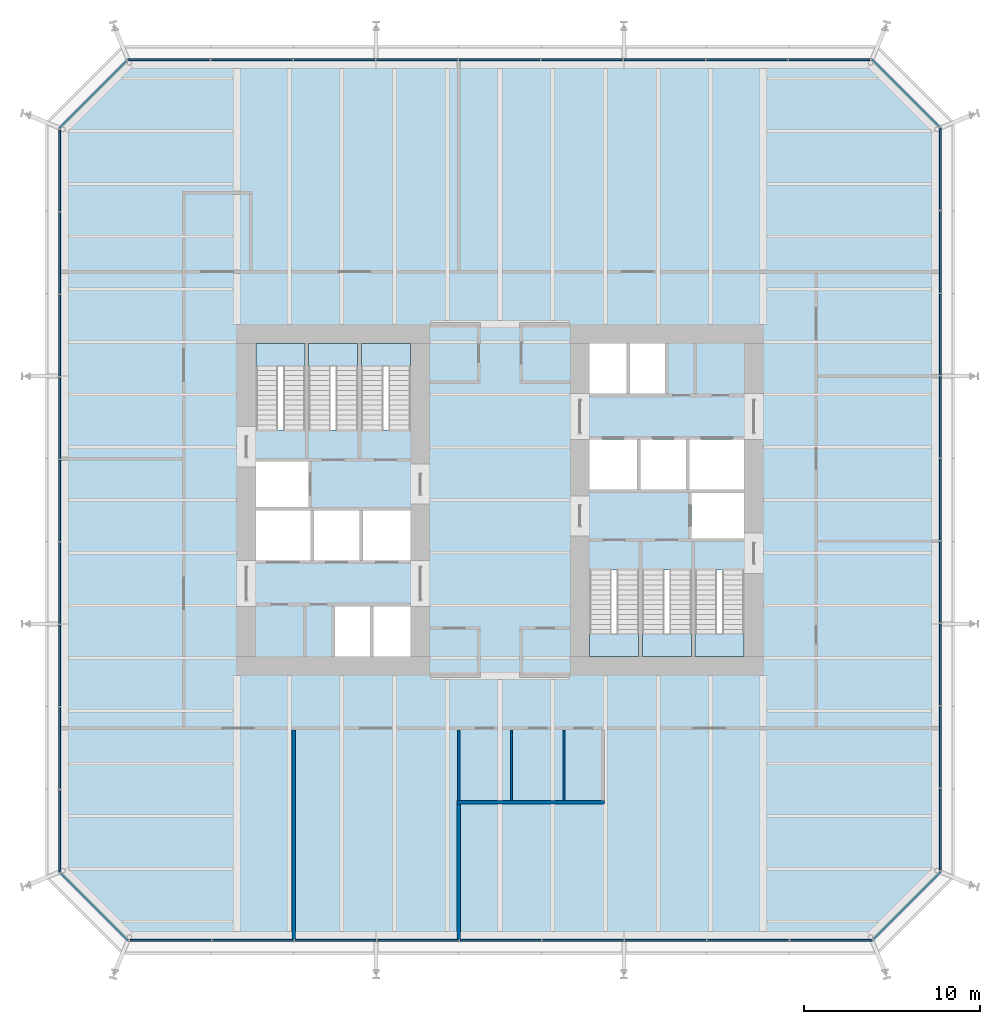
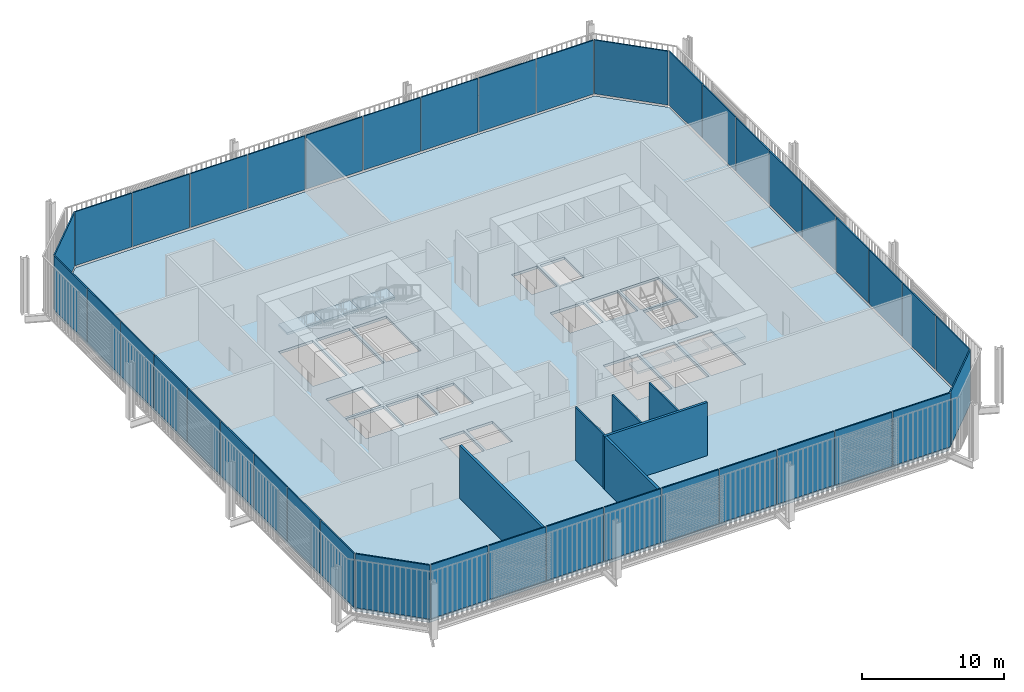
# One storey, part 17 of 22: 40 plates, 7 slabs, 6 walls, 14 elements without a shape of their own.
"""IFC4 building model written with IfcOpenShell, lengths in metres."""

from ifc_helpers import new_model, si_unit, direction, frame, frame_2d, origin, place, context, subcontext, project, spatial, polyline, rectangle, outline, extrude, material, layer, layer_set, type_object, element, aggregate, save


model = new_model("IFC4")

# Units and contexts
model_context = context("Model", 3, precision=1e-05, world=origin(), true_north=direction((0.0, 1.0)))
body_context = subcontext(model_context, "Body", "Model", "MODEL_VIEW")
ifc_project = project(units=[si_unit("LENGTHUNIT", "METRE"), si_unit("AREAUNIT", "SQUARE_METRE"), si_unit("VOLUMEUNIT", "CUBIC_METRE"), si_unit("PLANEANGLEUNIT", "RADIAN"), si_unit("MASSUNIT", "GRAM", prefix="KILO")], contexts=[model_context])

# Site, building, storey
site_placement = place(None, origin())
site = spatial("IfcSite", under=ifc_project, at=site_placement, CompositionType="ELEMENT")
building_placement = place(site_placement, origin())
building = spatial("IfcBuilding", under=site, at=building_placement, Name="Millrace Tower", CompositionType="ELEMENT")
storey_placement = place(building_placement, frame((0.0, 0.0, 25.699951171875)))
storey = spatial("IfcBuildingStorey", under=building, at=storey_placement, Name="L06", CompositionType="ELEMENT", Elevation=25.699951171875)

# Curtain wall, plate
ifc_material_1 = material(Name="Aluminium and glass", Category="aluminium")
ifc_layer_1 = layer(ifc_material_1, 0.14990234375)
ifc_layer_set_1 = layer_set([ifc_layer_1], Name="Aluminium and glass")
curtain_wall_type = type_object("IfcCurtainWallType", Name="CW-2 data hall insulated curtain wall", PredefinedType="NOTDEFINED", material=ifc_layer_set_1)
placement_1 = place(storey_placement, origin())
curtain_wall_1 = element("IfcCurtainWall", 1, at=placement_1, inside=storey, type_object=curtain_wall_type, Name="Curtain wall A-F01 L06", PredefinedType="NOTDEFINED")
ifc_material_2 = material(Name="Glass", Category="glass")
ifc_layer_2 = layer(ifc_material_2, 0.10009765625)
ifc_layer_set_2 = layer_set([ifc_layer_2], Name="Glass")
plate_type = type_object("IfcPlateType", Name="CW-2 data hall insulated curtain wall insulated cassette with vision slot", PredefinedType="CURTAIN_PANEL", material=ifc_layer_set_2)
placement_2 = place(storey_placement, frame((0.0, 0.0, 0.16015625)))
plate_1 = element("IfcPlate", 2, at=placement_2, type_object=plate_type, Name="CW2 panel A-F01.1", PredefinedType="CURTAIN_PANEL", context=body_context, shape_type="SweptSolid", body=[
    extrude(outline(polyline([(-25.04248046875, -21.284423828125), (-21.20166015625, -25.125), (-21.160400390625, -25.02490234375), (-24.9716796875, -21.213623046875), (-25.04248046875, -21.284423828125)])), origin(), (0.0, 0.0, 1.0), 4.639892578125),
])
aggregate(curtain_wall_1, [plate_1])

# Curtain wall, plates
curtain_wall_2 = element("IfcCurtainWall", 3, at=placement_1, inside=storey, type_object=curtain_wall_type, Name="Curtain wall A-F02 L06", PredefinedType="NOTDEFINED")
plate_2 = element("IfcPlate", 4, at=placement_2, type_object=plate_type, Name="CW2 panel A-F02.1", PredefinedType="CURTAIN_PANEL", context=body_context, shape_type="SweptSolid", body=[
    extrude(outline(polyline([(-21.0849609375, -25.125), (-16.449951171875, -25.125), (-16.449951171875, -25.02490234375), (-21.0849609375, -25.02490234375), (-21.0849609375, -25.125)])), origin(), (0.0, 0.0, 1.0), 4.639892578125),
])
plate_3 = element("IfcPlate", 5, at=placement_2, type_object=plate_type, Name="CW2 panel A-F02.2", PredefinedType="CURTAIN_PANEL", context=body_context, shape_type="SweptSolid", body=[
    extrude(outline(polyline([(-16.385009765625, -25.125), (-11.75, -25.125), (-11.75, -25.02490234375), (-16.385009765625, -25.02490234375), (-16.385009765625, -25.125)])), origin(), (0.0, 0.0, 1.0), 4.639892578125),
])
plate_4 = element("IfcPlate", 6, at=placement_2, type_object=plate_type, Name="CW2 panel A-F02.3", PredefinedType="CURTAIN_PANEL", context=body_context, shape_type="SweptSolid", body=[
    extrude(outline(polyline([(-11.68505859375, -25.125), (-7.050048828125, -25.125), (-7.050048828125, -25.02490234375), (-11.68505859375, -25.02490234375), (-11.68505859375, -25.125)])), origin(), (0.0, 0.0, 1.0), 4.639892578125),
])
plate_5 = element("IfcPlate", 7, at=placement_2, type_object=plate_type, Name="CW2 panel A-F02.4", PredefinedType="CURTAIN_PANEL", context=body_context, shape_type="SweptSolid", body=[
    extrude(outline(polyline([(-6.985107421875, -25.125), (-2.35009765625, -25.125), (-2.35009765625, -25.02490234375), (-6.985107421875, -25.02490234375), (-6.985107421875, -25.125)])), origin(), (0.0, 0.0, 1.0), 4.639892578125),
])
plate_6 = element("IfcPlate", 8, at=placement_2, type_object=plate_type, Name="CW2 panel A-F02.5", PredefinedType="CURTAIN_PANEL", context=body_context, shape_type="SweptSolid", body=[
    extrude(outline(polyline([(-2.284912109375, -25.125), (2.35009765625, -25.125), (2.35009765625, -25.02490234375), (-2.284912109375, -25.02490234375), (-2.284912109375, -25.125)])), origin(), (0.0, 0.0, 1.0), 4.639892578125),
])
plate_7 = element("IfcPlate", 9, at=placement_2, type_object=plate_type, Name="CW2 panel A-F02.6", PredefinedType="CURTAIN_PANEL", context=body_context, shape_type="SweptSolid", body=[
    extrude(outline(polyline([(2.4150390625, -25.125), (7.050048828125, -25.125), (7.050048828125, -25.02490234375), (2.4150390625, -25.02490234375), (2.4150390625, -25.125)])), origin(), (0.0, 0.0, 1.0), 4.639892578125),
])
plate_8 = element("IfcPlate", 10, at=placement_2, type_object=plate_type, Name="CW2 panel A-F02.7", PredefinedType="CURTAIN_PANEL", context=body_context, shape_type="SweptSolid", body=[
    extrude(outline(polyline([(7.114990234375, -25.125), (11.75, -25.125), (11.75, -25.02490234375), (7.114990234375, -25.02490234375), (7.114990234375, -25.125)])), origin(), (0.0, 0.0, 1.0), 4.639892578125),
])
plate_9 = element("IfcPlate", 11, at=placement_2, type_object=plate_type, Name="CW2 panel A-F02.8", PredefinedType="CURTAIN_PANEL", context=body_context, shape_type="SweptSolid", body=[
    extrude(outline(polyline([(11.81494140625, -25.125), (16.449951171875, -25.125), (16.449951171875, -25.02490234375), (11.81494140625, -25.02490234375), (11.81494140625, -25.125)])), origin(), (0.0, 0.0, 1.0), 4.639892578125),
])
plate_10 = element("IfcPlate", 12, at=placement_2, type_object=plate_type, Name="CW2 panel A-F02.9", PredefinedType="CURTAIN_PANEL", context=body_context, shape_type="SweptSolid", body=[
    extrude(outline(polyline([(16.514892578125, -25.125), (21.20166015625, -25.125), (21.160400390625, -25.02490234375), (16.514892578125, -25.02490234375), (16.514892578125, -25.125)])), origin(), (0.0, 0.0, 1.0), 4.639892578125),
])
aggregate(curtain_wall_2, [plate_2, plate_3, plate_4, plate_5, plate_6, plate_7, plate_8, plate_9, plate_10])

# Curtain wall, plate
curtain_wall_3 = element("IfcCurtainWall", 13, at=placement_1, inside=storey, type_object=curtain_wall_type, Name="Curtain wall A-F03 L06", PredefinedType="NOTDEFINED")
plate_11 = element("IfcPlate", 14, at=placement_2, type_object=plate_type, Name="CW2 panel A-F03.1", PredefinedType="CURTAIN_PANEL", context=body_context, shape_type="SweptSolid", body=[
    extrude(outline(polyline([(21.284423828125, -25.04248046875), (25.125, -21.20166015625), (25.02490234375, -21.160400390625), (21.213623046875, -24.9716796875), (21.284423828125, -25.04248046875)])), origin(), (0.0, 0.0, 1.0), 4.639892578125),
])
aggregate(curtain_wall_3, [plate_11])

# Curtain wall, plates
curtain_wall_4 = element("IfcCurtainWall", 15, at=placement_1, inside=storey, type_object=curtain_wall_type, Name="Curtain wall A-F04 L06", PredefinedType="NOTDEFINED")
plate_12 = element("IfcPlate", 16, at=placement_2, type_object=plate_type, Name="CW2 panel A-F04.1", PredefinedType="CURTAIN_PANEL", context=body_context, shape_type="SweptSolid", body=[
    extrude(outline(polyline([(25.125, -21.0849609375), (25.125, -16.449951171875), (25.02490234375, -16.449951171875), (25.02490234375, -21.0849609375), (25.125, -21.0849609375)])), origin(), (0.0, 0.0, 1.0), 4.639892578125),
])
plate_13 = element("IfcPlate", 17, at=placement_2, type_object=plate_type, Name="CW2 panel A-F04.2", PredefinedType="CURTAIN_PANEL", context=body_context, shape_type="SweptSolid", body=[
    extrude(outline(polyline([(25.125, -16.385009765625), (25.125, -11.75), (25.02490234375, -11.75), (25.02490234375, -16.385009765625), (25.125, -16.385009765625)])), origin(), (0.0, 0.0, 1.0), 4.639892578125),
])
plate_14 = element("IfcPlate", 18, at=placement_2, type_object=plate_type, Name="CW2 panel A-F04.3", PredefinedType="CURTAIN_PANEL", context=body_context, shape_type="SweptSolid", body=[
    extrude(outline(polyline([(25.125, -11.68505859375), (25.125, -7.050048828125), (25.02490234375, -7.050048828125), (25.02490234375, -11.68505859375), (25.125, -11.68505859375)])), origin(), (0.0, 0.0, 1.0), 4.639892578125),
])
plate_15 = element("IfcPlate", 19, at=placement_2, type_object=plate_type, Name="CW2 panel A-F04.4", PredefinedType="CURTAIN_PANEL", context=body_context, shape_type="SweptSolid", body=[
    extrude(outline(polyline([(25.125, -6.985107421875), (25.125, -2.35009765625), (25.02490234375, -2.35009765625), (25.02490234375, -6.985107421875), (25.125, -6.985107421875)])), origin(), (0.0, 0.0, 1.0), 4.639892578125),
])
plate_16 = element("IfcPlate", 20, at=placement_2, type_object=plate_type, Name="CW2 panel A-F04.5", PredefinedType="CURTAIN_PANEL", context=body_context, shape_type="SweptSolid", body=[
    extrude(outline(polyline([(25.125, -2.284912109375), (25.125, 2.35009765625), (25.02490234375, 2.35009765625), (25.02490234375, -2.284912109375), (25.125, -2.284912109375)])), origin(), (0.0, 0.0, 1.0), 4.639892578125),
])
plate_17 = element("IfcPlate", 21, at=placement_2, type_object=plate_type, Name="CW2 panel A-F04.6", PredefinedType="CURTAIN_PANEL", context=body_context, shape_type="SweptSolid", body=[
    extrude(outline(polyline([(25.125, 2.4150390625), (25.125, 7.050048828125), (25.02490234375, 7.050048828125), (25.02490234375, 2.4150390625), (25.125, 2.4150390625)])), origin(), (0.0, 0.0, 1.0), 4.639892578125),
])
plate_18 = element("IfcPlate", 22, at=placement_2, type_object=plate_type, Name="CW2 panel A-F04.7", PredefinedType="CURTAIN_PANEL", context=body_context, shape_type="SweptSolid", body=[
    extrude(outline(polyline([(25.125, 7.114990234375), (25.125, 11.75), (25.02490234375, 11.75), (25.02490234375, 7.114990234375), (25.125, 7.114990234375)])), origin(), (0.0, 0.0, 1.0), 4.639892578125),
])
plate_19 = element("IfcPlate", 23, at=placement_2, type_object=plate_type, Name="CW2 panel A-F04.8", PredefinedType="CURTAIN_PANEL", context=body_context, shape_type="SweptSolid", body=[
    extrude(outline(polyline([(25.125, 11.81494140625), (25.125, 16.449951171875), (25.02490234375, 16.449951171875), (25.02490234375, 11.81494140625), (25.125, 11.81494140625)])), origin(), (0.0, 0.0, 1.0), 4.639892578125),
])
plate_20 = element("IfcPlate", 24, at=placement_2, type_object=plate_type, Name="CW2 panel A-F04.9", PredefinedType="CURTAIN_PANEL", context=body_context, shape_type="SweptSolid", body=[
    extrude(outline(polyline([(25.125, 16.514892578125), (25.125, 21.20166015625), (25.02490234375, 21.160400390625), (25.02490234375, 16.514892578125), (25.125, 16.514892578125)])), origin(), (0.0, 0.0, 1.0), 4.639892578125),
])
aggregate(curtain_wall_4, [plate_12, plate_13, plate_14, plate_15, plate_16, plate_17, plate_18, plate_19, plate_20])

# Curtain wall, plate
curtain_wall_5 = element("IfcCurtainWall", 25, at=placement_1, inside=storey, type_object=curtain_wall_type, Name="Curtain wall A-F05 L06", PredefinedType="NOTDEFINED")
plate_21 = element("IfcPlate", 26, at=placement_2, type_object=plate_type, Name="CW2 panel A-F05.1", PredefinedType="CURTAIN_PANEL", context=body_context, shape_type="SweptSolid", body=[
    extrude(outline(polyline([(25.04248046875, 21.284423828125), (21.20166015625, 25.125), (21.160400390625, 25.02490234375), (24.9716796875, 21.213623046875), (25.04248046875, 21.284423828125)])), origin(), (0.0, 0.0, 1.0), 4.639892578125),
])
aggregate(curtain_wall_5, [plate_21])

# Curtain wall, plates
curtain_wall_6 = element("IfcCurtainWall", 27, at=placement_1, inside=storey, type_object=curtain_wall_type, Name="Curtain wall A-F06 L06", PredefinedType="NOTDEFINED")
plate_22 = element("IfcPlate", 28, at=placement_2, type_object=plate_type, Name="CW2 panel A-F06.1", PredefinedType="CURTAIN_PANEL", context=body_context, shape_type="SweptSolid", body=[
    extrude(outline(polyline([(21.0849609375, 25.125), (16.449951171875, 25.125), (16.449951171875, 25.02490234375), (21.0849609375, 25.02490234375), (21.0849609375, 25.125)])), origin(), (0.0, 0.0, 1.0), 4.639892578125),
])
plate_23 = element("IfcPlate", 29, at=placement_2, type_object=plate_type, Name="CW2 panel A-F06.2", PredefinedType="CURTAIN_PANEL", context=body_context, shape_type="SweptSolid", body=[
    extrude(outline(polyline([(16.385009765625, 25.125), (11.75, 25.125), (11.75, 25.02490234375), (16.385009765625, 25.02490234375), (16.385009765625, 25.125)])), origin(), (0.0, 0.0, 1.0), 4.639892578125),
])
plate_24 = element("IfcPlate", 30, at=placement_2, type_object=plate_type, Name="CW2 panel A-F06.3", PredefinedType="CURTAIN_PANEL", context=body_context, shape_type="SweptSolid", body=[
    extrude(outline(polyline([(11.68505859375, 25.125), (7.050048828125, 25.125), (7.050048828125, 25.02490234375), (11.68505859375, 25.02490234375), (11.68505859375, 25.125)])), origin(), (0.0, 0.0, 1.0), 4.639892578125),
])
plate_25 = element("IfcPlate", 31, at=placement_2, type_object=plate_type, Name="CW2 panel A-F06.4", PredefinedType="CURTAIN_PANEL", context=body_context, shape_type="SweptSolid", body=[
    extrude(outline(polyline([(6.985107421875, 25.125), (2.35009765625, 25.125), (2.35009765625, 25.02490234375), (6.985107421875, 25.02490234375), (6.985107421875, 25.125)])), origin(), (0.0, 0.0, 1.0), 4.639892578125),
])
plate_26 = element("IfcPlate", 32, at=placement_2, type_object=plate_type, Name="CW2 panel A-F06.5", PredefinedType="CURTAIN_PANEL", context=body_context, shape_type="SweptSolid", body=[
    extrude(outline(polyline([(2.284912109375, 25.125), (-2.35009765625, 25.125), (-2.35009765625, 25.02490234375), (2.284912109375, 25.02490234375), (2.284912109375, 25.125)])), origin(), (0.0, 0.0, 1.0), 4.639892578125),
])
plate_27 = element("IfcPlate", 33, at=placement_2, type_object=plate_type, Name="CW2 panel A-F06.6", PredefinedType="CURTAIN_PANEL", context=body_context, shape_type="SweptSolid", body=[
    extrude(outline(polyline([(-2.4150390625, 25.125), (-7.050048828125, 25.125), (-7.050048828125, 25.02490234375), (-2.4150390625, 25.02490234375), (-2.4150390625, 25.125)])), origin(), (0.0, 0.0, 1.0), 4.639892578125),
])
plate_28 = element("IfcPlate", 34, at=placement_2, type_object=plate_type, Name="CW2 panel A-F06.7", PredefinedType="CURTAIN_PANEL", context=body_context, shape_type="SweptSolid", body=[
    extrude(outline(polyline([(-7.114990234375, 25.125), (-11.75, 25.125), (-11.75, 25.02490234375), (-7.114990234375, 25.02490234375), (-7.114990234375, 25.125)])), origin(), (0.0, 0.0, 1.0), 4.639892578125),
])
plate_29 = element("IfcPlate", 35, at=placement_2, type_object=plate_type, Name="CW2 panel A-F06.8", PredefinedType="CURTAIN_PANEL", context=body_context, shape_type="SweptSolid", body=[
    extrude(outline(polyline([(-11.81494140625, 25.125), (-16.449951171875, 25.125), (-16.449951171875, 25.02490234375), (-11.81494140625, 25.02490234375), (-11.81494140625, 25.125)])), origin(), (0.0, 0.0, 1.0), 4.639892578125),
])
plate_30 = element("IfcPlate", 36, at=placement_2, type_object=plate_type, Name="CW2 panel A-F06.9", PredefinedType="CURTAIN_PANEL", context=body_context, shape_type="SweptSolid", body=[
    extrude(outline(polyline([(-16.514892578125, 25.125), (-21.20166015625, 25.125), (-21.160400390625, 25.02490234375), (-16.514892578125, 25.02490234375), (-16.514892578125, 25.125)])), origin(), (0.0, 0.0, 1.0), 4.639892578125),
])
aggregate(curtain_wall_6, [plate_22, plate_23, plate_24, plate_25, plate_26, plate_27, plate_28, plate_29, plate_30])

# Curtain wall, plate
curtain_wall_7 = element("IfcCurtainWall", 37, at=placement_1, inside=storey, type_object=curtain_wall_type, Name="Curtain wall A-F07 L06", PredefinedType="NOTDEFINED")
plate_31 = element("IfcPlate", 38, at=placement_2, type_object=plate_type, Name="CW2 panel A-F07.1", PredefinedType="CURTAIN_PANEL", context=body_context, shape_type="SweptSolid", body=[
    extrude(outline(polyline([(-21.284423828125, 25.04248046875), (-25.125, 21.20166015625), (-25.02490234375, 21.160400390625), (-21.213623046875, 24.9716796875), (-21.284423828125, 25.04248046875)])), origin(), (0.0, 0.0, 1.0), 4.639892578125),
])
aggregate(curtain_wall_7, [plate_31])

# Curtain wall, plates
curtain_wall_8 = element("IfcCurtainWall", 39, at=placement_1, inside=storey, type_object=curtain_wall_type, Name="Curtain wall A-F08 L06", PredefinedType="NOTDEFINED")
plate_32 = element("IfcPlate", 40, at=placement_2, type_object=plate_type, Name="CW2 panel A-F08.1", PredefinedType="CURTAIN_PANEL", context=body_context, shape_type="SweptSolid", body=[
    extrude(outline(polyline([(-25.125, 21.0849609375), (-25.125, 16.449951171875), (-25.02490234375, 16.449951171875), (-25.02490234375, 21.0849609375), (-25.125, 21.0849609375)])), origin(), (0.0, 0.0, 1.0), 4.639892578125),
])
plate_33 = element("IfcPlate", 41, at=placement_2, type_object=plate_type, Name="CW2 panel A-F08.2", PredefinedType="CURTAIN_PANEL", context=body_context, shape_type="SweptSolid", body=[
    extrude(outline(polyline([(-25.125, 16.385009765625), (-25.125, 11.75), (-25.02490234375, 11.75), (-25.02490234375, 16.385009765625), (-25.125, 16.385009765625)])), origin(), (0.0, 0.0, 1.0), 4.639892578125),
])
plate_34 = element("IfcPlate", 42, at=placement_2, type_object=plate_type, Name="CW2 panel A-F08.3", PredefinedType="CURTAIN_PANEL", context=body_context, shape_type="SweptSolid", body=[
    extrude(outline(polyline([(-25.125, 11.68505859375), (-25.125, 7.050048828125), (-25.02490234375, 7.050048828125), (-25.02490234375, 11.68505859375), (-25.125, 11.68505859375)])), origin(), (0.0, 0.0, 1.0), 4.639892578125),
])
plate_35 = element("IfcPlate", 43, at=placement_2, type_object=plate_type, Name="CW2 panel A-F08.4", PredefinedType="CURTAIN_PANEL", context=body_context, shape_type="SweptSolid", body=[
    extrude(outline(polyline([(-25.125, 6.985107421875), (-25.125, 2.35009765625), (-25.02490234375, 2.35009765625), (-25.02490234375, 6.985107421875), (-25.125, 6.985107421875)])), origin(), (0.0, 0.0, 1.0), 4.639892578125),
])
plate_36 = element("IfcPlate", 44, at=placement_2, type_object=plate_type, Name="CW2 panel A-F08.5", PredefinedType="CURTAIN_PANEL", context=body_context, shape_type="SweptSolid", body=[
    extrude(outline(polyline([(-25.125, 2.284912109375), (-25.125, -2.35009765625), (-25.02490234375, -2.35009765625), (-25.02490234375, 2.284912109375), (-25.125, 2.284912109375)])), origin(), (0.0, 0.0, 1.0), 4.639892578125),
])
plate_37 = element("IfcPlate", 45, at=placement_2, type_object=plate_type, Name="CW2 panel A-F08.6", PredefinedType="CURTAIN_PANEL", context=body_context, shape_type="SweptSolid", body=[
    extrude(outline(polyline([(-25.125, -2.4150390625), (-25.125, -7.050048828125), (-25.02490234375, -7.050048828125), (-25.02490234375, -2.4150390625), (-25.125, -2.4150390625)])), origin(), (0.0, 0.0, 1.0), 4.639892578125),
])
plate_38 = element("IfcPlate", 46, at=placement_2, type_object=plate_type, Name="CW2 panel A-F08.7", PredefinedType="CURTAIN_PANEL", context=body_context, shape_type="SweptSolid", body=[
    extrude(outline(polyline([(-25.125, -7.114990234375), (-25.125, -11.75), (-25.02490234375, -11.75), (-25.02490234375, -7.114990234375), (-25.125, -7.114990234375)])), origin(), (0.0, 0.0, 1.0), 4.639892578125),
])
plate_39 = element("IfcPlate", 47, at=placement_2, type_object=plate_type, Name="CW2 panel A-F08.8", PredefinedType="CURTAIN_PANEL", context=body_context, shape_type="SweptSolid", body=[
    extrude(outline(polyline([(-25.125, -11.81494140625), (-25.125, -16.449951171875), (-25.02490234375, -16.449951171875), (-25.02490234375, -11.81494140625), (-25.125, -11.81494140625)])), origin(), (0.0, 0.0, 1.0), 4.639892578125),
])
plate_40 = element("IfcPlate", 48, at=placement_2, type_object=plate_type, Name="CW2 panel A-F08.9", PredefinedType="CURTAIN_PANEL", context=body_context, shape_type="SweptSolid", body=[
    extrude(outline(polyline([(-25.125, -16.514892578125), (-25.125, -21.20166015625), (-25.02490234375, -21.160400390625), (-25.02490234375, -16.514892578125), (-25.125, -16.514892578125)])), origin(), (0.0, 0.0, 1.0), 4.639892578125),
])
aggregate(curtain_wall_8, [plate_32, plate_33, plate_34, plate_35, plate_36, plate_37, plate_38, plate_39, plate_40])

# Slab
ifc_material_3 = material(Name="Concrete C35 on steel deck", Category="concrete")
ifc_layer_3 = layer(ifc_material_3, 0.22509765625)
ifc_layer_set_3 = layer_set([ifc_layer_3], Name="Concrete C35 on steel deck")
slab_type_1 = type_object("IfcSlabType", Name="Composite floor slab 225 mm", PredefinedType="FLOOR", material=ifc_layer_set_3)
slab_1_placement = place(storey_placement, frame((0.0, 0.0, -0.224853515625)))
element("IfcSlab", 49, at=slab_1_placement, inside=storey, type_object=slab_type_1, Name="SL-A-L06-S1", PredefinedType="FLOOR", context=body_context, shape_type="SweptSolid", body=[
    extrude(outline(polyline([(-25.0, -21.14990234375), (-21.14990234375, -25.0), (21.14990234375, -25.0), (25.0, -21.14990234375), (25.0, 21.14990234375), (21.14990234375, 25.0), (-21.14990234375, 25.0), (-25.0, 21.14990234375), (-25.0, -21.14990234375)]), holes=[polyline([(-9.39990234375, -8.89990234375), (-7.39990234375, -8.89990234375), (-7.39990234375, -6.050048828125), (-9.39990234375, -6.050048828125), (-9.39990234375, -8.89990234375)]), polyline([(-7.199951171875, -8.89990234375), (-5.10009765625, -8.89990234375), (-5.10009765625, -6.050048828125), (-7.199951171875, -6.050048828125), (-7.199951171875, -8.89990234375)]), polyline([(-13.89990234375, -3.449951171875), (-10.800048828125, -3.449951171875), (-10.800048828125, -0.60009765625), (-13.89990234375, -0.60009765625), (-13.89990234375, -3.449951171875)]), polyline([(-10.60009765625, -3.449951171875), (-8.0, -3.449951171875), (-8.0, -0.60009765625), (-10.60009765625, -0.60009765625), (-10.60009765625, -3.449951171875)]), polyline([(-7.800048828125, -3.449951171875), (-5.10009765625, -3.449951171875), (-5.10009765625, -0.60009765625), (-7.800048828125, -0.60009765625), (-7.800048828125, -3.449951171875)]), polyline([(-13.89990234375, -0.39990234375), (-10.89990234375, -0.39990234375), (-10.89990234375, 2.179931640625), (-13.89990234375, 2.179931640625), (-13.89990234375, -0.39990234375)]), polyline([(-13.89990234375, 4.0), (-11.10009765625, 4.0), (-11.10009765625, 8.89990234375), (-13.89990234375, 8.89990234375), (-13.89990234375, 4.0)]), polyline([(-10.89990234375, 4.0), (-8.10009765625, 4.0), (-8.10009765625, 8.89990234375), (-10.89990234375, 8.89990234375), (-10.89990234375, 4.0)]), polyline([(-7.89990234375, 4.0), (-5.10009765625, 4.0), (-5.10009765625, 8.89990234375), (-7.89990234375, 8.89990234375), (-7.89990234375, 4.0)]), polyline([(7.39990234375, 6.050048828125), (9.39990234375, 6.050048828125), (9.39990234375, 8.89990234375), (7.39990234375, 8.89990234375), (7.39990234375, 6.050048828125)]), polyline([(5.10009765625, 6.050048828125), (7.199951171875, 6.050048828125), (7.199951171875, 8.89990234375), (5.10009765625, 8.89990234375), (5.10009765625, 6.050048828125)]), polyline([(10.800048828125, 0.60009765625), (13.89990234375, 0.60009765625), (13.89990234375, 3.449951171875), (10.800048828125, 3.449951171875), (10.800048828125, 0.60009765625)]), polyline([(8.0, 0.60009765625), (10.60009765625, 0.60009765625), (10.60009765625, 3.449951171875), (8.0, 3.449951171875), (8.0, 0.60009765625)]), polyline([(5.10009765625, 0.60009765625), (7.800048828125, 0.60009765625), (7.800048828125, 3.449951171875), (5.10009765625, 3.449951171875), (5.10009765625, 0.60009765625)]), polyline([(10.89990234375, -2.179931640625), (13.89990234375, -2.179931640625), (13.89990234375, 0.39990234375), (10.89990234375, 0.39990234375), (10.89990234375, -2.179931640625)]), polyline([(11.10009765625, -8.89990234375), (13.89990234375, -8.89990234375), (13.89990234375, -4.0), (11.10009765625, -4.0), (11.10009765625, -8.89990234375)]), polyline([(8.10009765625, -8.89990234375), (10.89990234375, -8.89990234375), (10.89990234375, -4.0), (8.10009765625, -4.0), (8.10009765625, -8.89990234375)]), polyline([(5.10009765625, -8.89990234375), (7.89990234375, -8.89990234375), (7.89990234375, -4.0), (5.10009765625, -4.0), (5.10009765625, -8.89990234375)])]), origin(), (0.0, 0.0, 1.0), 0.224853515625),
])

# Stair, slab
ifc_material_4 = material(Name="Concrete C35", Category="concrete")
stair_type = type_object("IfcStairType", Name="Exit stair", PredefinedType="HALF_TURN_STAIR", material=ifc_material_4)
stair_1 = element("IfcStair", 50, at=placement_1, inside=storey, type_object=stair_type, Name="Stair 1 W L06", PredefinedType="HALF_TURN_STAIR")
ifc_material_5 = material(Name="Concrete C40", Category="concrete")
ifc_layer_4 = layer(ifc_material_5, 0.199951171875)
ifc_layer_set_4 = layer_set([ifc_layer_4], Name="Concrete C40")
slab_type_2 = type_object("IfcSlabType", Name="Stair landing", PredefinedType="LANDING", material=ifc_layer_set_4)
placement_3 = place(storey_placement, frame((0.0, 0.0, 2.199951171875)))
slab_2 = element("IfcSlab", 51, at=placement_3, type_object=slab_type_2, Name="ST12 landing 1", PredefinedType="LANDING", context=body_context, shape_type="SweptSolid", body=[
    extrude(outline(polyline([(-13.89990234375, 7.639892578125), (-11.10009765625, 7.639892578125), (-11.10009765625, 8.89990234375), (-13.89990234375, 8.89990234375), (-13.89990234375, 7.639892578125)])), origin(), (0.0, 0.0, 1.0), 0.2001953125),
])
aggregate(stair_1, [slab_2])

stair_2 = element("IfcStair", 52, at=placement_1, inside=storey, type_object=stair_type, Name="Stair 2 W L06", PredefinedType="HALF_TURN_STAIR")
slab_3 = element("IfcSlab", 53, at=placement_3, type_object=slab_type_2, Name="ST12 landing 1", PredefinedType="LANDING", context=body_context, shape_type="SweptSolid", body=[
    extrude(outline(polyline([(-10.89990234375, 7.639892578125), (-8.10009765625, 7.639892578125), (-8.10009765625, 8.89990234375), (-10.89990234375, 8.89990234375), (-10.89990234375, 7.639892578125)])), origin(), (0.0, 0.0, 1.0), 0.2001953125),
])
aggregate(stair_2, [slab_3])

stair_3 = element("IfcStair", 54, at=placement_1, inside=storey, type_object=stair_type, Name="Stair 3 W L06", PredefinedType="HALF_TURN_STAIR")
slab_4 = element("IfcSlab", 55, at=placement_3, type_object=slab_type_2, Name="ST12 landing 1", PredefinedType="LANDING", context=body_context, shape_type="SweptSolid", body=[
    extrude(outline(polyline([(-7.89990234375, 7.639892578125), (-5.10009765625, 7.639892578125), (-5.10009765625, 8.89990234375), (-7.89990234375, 8.89990234375), (-7.89990234375, 7.639892578125)])), origin(), (0.0, 0.0, 1.0), 0.2001953125),
])
aggregate(stair_3, [slab_4])

stair_4 = element("IfcStair", 56, at=placement_1, inside=storey, type_object=stair_type, Name="Stair 1 E L06", PredefinedType="HALF_TURN_STAIR")
slab_5 = element("IfcSlab", 57, at=placement_3, type_object=slab_type_2, Name="ST12 landing 1", PredefinedType="LANDING", context=body_context, shape_type="SweptSolid", body=[
    extrude(outline(polyline([(11.10009765625, -8.89990234375), (13.89990234375, -8.89990234375), (13.89990234375, -7.639892578125), (11.10009765625, -7.639892578125), (11.10009765625, -8.89990234375)])), origin(), (0.0, 0.0, 1.0), 0.2001953125),
])
aggregate(stair_4, [slab_5])

stair_5 = element("IfcStair", 58, at=placement_1, inside=storey, type_object=stair_type, Name="Stair 2 E L06", PredefinedType="HALF_TURN_STAIR")
slab_6 = element("IfcSlab", 59, at=placement_3, type_object=slab_type_2, Name="ST12 landing 1", PredefinedType="LANDING", context=body_context, shape_type="SweptSolid", body=[
    extrude(outline(polyline([(8.10009765625, -8.89990234375), (10.89990234375, -8.89990234375), (10.89990234375, -7.639892578125), (8.10009765625, -7.639892578125), (8.10009765625, -8.89990234375)])), origin(), (0.0, 0.0, 1.0), 0.2001953125),
])
aggregate(stair_5, [slab_6])

stair_6 = element("IfcStair", 60, at=placement_1, inside=storey, type_object=stair_type, Name="Stair 3 E L06", PredefinedType="HALF_TURN_STAIR")
slab_7 = element("IfcSlab", 61, at=placement_3, type_object=slab_type_2, Name="ST12 landing 1", PredefinedType="LANDING", context=body_context, shape_type="SweptSolid", body=[
    extrude(outline(polyline([(5.10009765625, -8.89990234375), (7.89990234375, -8.89990234375), (7.89990234375, -7.639892578125), (5.10009765625, -7.639892578125), (5.10009765625, -8.89990234375)])), origin(), (0.0, 0.0, 1.0), 0.2001953125),
])
aggregate(stair_6, [slab_7])

# Walls
ifc_material_6 = material(Name="Masonry partition, fire-rated", Category="masonry")
ifc_layer_5 = layer(ifc_material_6, 0.199951171875)
ifc_layer_set_5 = layer_set([ifc_layer_5], Name="Masonry partition, fire-rated")
wall_type_1 = type_object("IfcWallType", Name="Corridor wall 200", PredefinedType="PARTITIONING", material=ifc_layer_set_5)
wall_1_placement = place(storey_placement, frame((-2.449951171875, -17.199951171875, 0.0), z_axis=(0.0, 0.0, 1.0), x_axis=(1.0, 0.0, 0.0)))
element("IfcWall", 62, at=wall_1_placement, inside=storey, type_object=wall_type_1, Name="Corridor wall L06", PredefinedType="PARTITIONING", context=body_context, shape_type="SweptSolid", body=[
    extrude(rectangle(XDim=8.39990234375, YDim=0.199951171875, at=frame_2d((4.199951171875, 0.0))), origin(), (0.0, 0.0, 1.0), 4.574951171875),
])
wall_2_placement = place(storey_placement, frame((-2.35009765625, -25.030029296875, 0.0), z_axis=(0.0, 0.0, 1.0), x_axis=(0.0, 1.0, 0.0)))
element("IfcWall", 63, at=wall_2_placement, inside=storey, type_object=wall_type_1, Name="Corridor wall L06", PredefinedType="PARTITIONING", context=body_context, shape_type="SweptSolid", body=[
    extrude(rectangle(XDim=7.72998046875, YDim=0.199951171875, at=frame_2d((3.864990234375, 0.0))), origin(), (0.0, 0.0, 1.0), 4.574951171875),
])
wall_3_placement = place(storey_placement, frame((-11.75, -25.030029296875, 0.0), z_axis=(0.0, 0.0, 1.0), x_axis=(0.0, 1.0, 0.0)))
element("IfcWall", 64, at=wall_3_placement, inside=storey, type_object=wall_type_1, Name="Corridor wall L06", PredefinedType="PARTITIONING", context=body_context, shape_type="SweptSolid", body=[
    extrude(rectangle(XDim=11.929931640625, YDim=0.199951171875, at=frame_2d((5.96484375, 0.0))), origin(), (0.0, 0.0, 1.0), 4.574951171875),
])
ifc_material_7 = material(Name="Gypsum board partition")
ifc_layer_6 = layer(ifc_material_7, 0.1201171875)
ifc_layer_set_6 = layer_set([ifc_layer_6], Name="Gypsum board partition")
wall_type_2 = type_object("IfcWallType", Name="Partition wall 120", PredefinedType="PARTITIONING", material=ifc_layer_set_6)
for number, where, z_axis, x_axis, name in (
    (65, (3.64990234375, -17.10009765625, 0.0), (0.0, 0.0, 1.0), (0.0, 1.0, 0.0), "Partition wall L06"),
    (66, (0.64990234375, -17.10009765625, 0.0), (0.0, 0.0, 1.0), (0.0, 1.0, 0.0), "Partition wall L06"),
    (67, (-2.35009765625, -17.10009765625, 0.0), (0.0, 0.0, 1.0), (0.0, 1.0, 0.0), "Partition wall L06"),
):
    element("IfcWall", number, at=place(storey_placement, frame(where, z_axis=z_axis, x_axis=x_axis)), inside=storey, type_object=wall_type_2, Name=name, PredefinedType="PARTITIONING", context=body_context, shape_type="SweptSolid", body=[
        extrude(rectangle(XDim=4.0, YDim=0.1201171875, at=frame_2d((2.0, 0.0))), origin(), (0.0, 0.0, 1.0), 4.574951171875),
    ])

save(model, "model.ifc")
